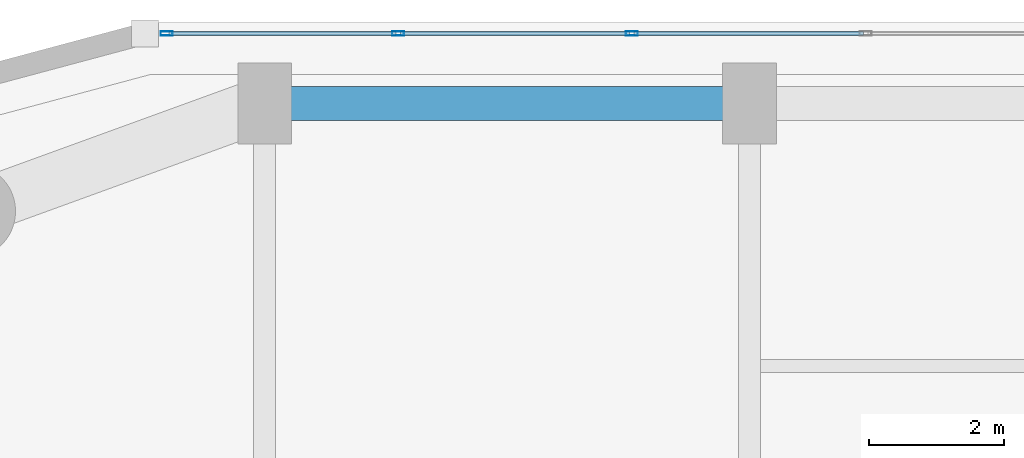
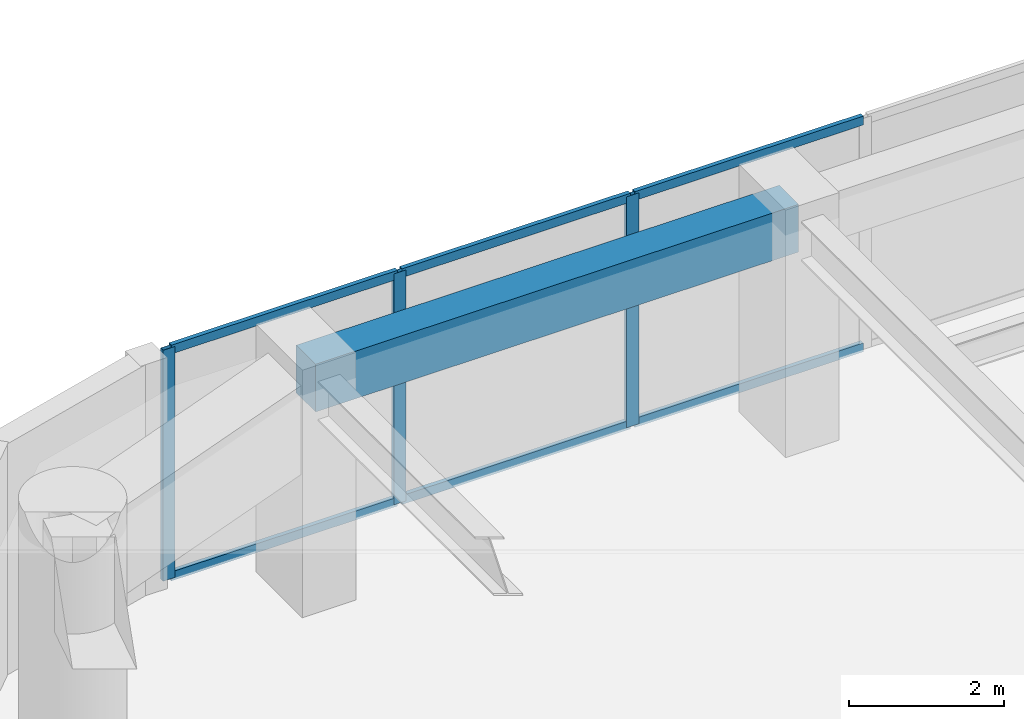
# One storey, part 13 of 24: 9 members, 1 beam, 1 element without a shape of its own.
"""IFC4 building model written with IfcOpenShell, lengths in metres."""

from ifc_helpers import new_model, si_unit, direction, frame, origin, origin_2d, place, context, subcontext, project, spatial, rectangle, hollow_rectangle, extrude, material, layer, layer_set, material_profile, profile_set, type_object, element, aggregate, save


model = new_model("IFC4")

# Units and contexts
model_context = context("Model", 3, precision=1e-05, world=origin(), true_north=direction((0.0, 1.0)))
body_context = subcontext(model_context, "Body", "Model", "MODEL_VIEW")
ifc_project = project(units=[si_unit("LENGTHUNIT", "METRE"), si_unit("AREAUNIT", "SQUARE_METRE"), si_unit("VOLUMEUNIT", "CUBIC_METRE"), si_unit("PLANEANGLEUNIT", "RADIAN"), si_unit("MASSUNIT", "GRAM", prefix="KILO")], contexts=[model_context])

# Site, building, storey
site_placement = place(None, origin())
site = spatial("IfcSite", under=ifc_project, at=site_placement, CompositionType="ELEMENT")
building_placement = place(site_placement, origin())
building = spatial("IfcBuilding", under=site, at=building_placement, Name="Kiyonajd Concourse Tower", CompositionType="ELEMENT")
storey_placement = place(building_placement, frame((0.0, 0.0, 105.300048828125)))
storey = spatial("IfcBuildingStorey", under=building, at=storey_placement, Name="L27", CompositionType="ELEMENT", Elevation=105.300048828125)

# Beam
ifc_material_1 = material(Name="Precast concrete C50/60", Category="concrete")
ifc_material_profile_1 = material_profile(ifc_material_1, rectangle(XDim=0.5, YDim=0.75, at=origin_2d()), Name="RCBM-500x750")
ifc_profile_set_1 = profile_set([ifc_material_profile_1], Name="Precast concrete C50/60")
beam_type = type_object("IfcBeamType", Name="BM-SPAN-RC", PredefinedType="SPANDREL", material=ifc_profile_set_1)
beam_placement = place(storey_placement, frame((32.39990234375, 61.199951171875, 3.264892578125), z_axis=(-1.0, 0.0, 0.0), x_axis=(0.0, -1.0, 0.0)))
element("IfcBeam", 1, at=beam_placement, inside=storey, type_object=beam_type, Name="L27 Perimeter Bundled Tube Spandrel", PredefinedType="SPANDREL", context=body_context, shape_type="SweptSolid", body=[
    extrude(rectangle(XDim=0.5, YDim=0.75, at=origin_2d()), origin(), (0.0, 0.0, 1.0), 7.199951171875),
])

# Curtain wall, members
ifc_material_2 = material(Name="Thermally Broken Anodised Aluminium", Category="aluminium")
ifc_layer = layer(ifc_material_2, 0.179931640625)
ifc_layer_set = layer_set([ifc_layer], Name="Thermally Broken Anodised Aluminium")
curtain_wall_type = type_object("IfcCurtainWallType", Name="CW-SYS-03", PredefinedType="NOTDEFINED", material=ifc_layer_set)
curtain_wall_placement = place(storey_placement, origin())
curtain_wall = element("IfcCurtainWall", 2, at=curtain_wall_placement, inside=storey, type_object=curtain_wall_type, Name="L27 Unitised Curtain Wall CW3", PredefinedType="NOTDEFINED")
ifc_material_profile_2 = material_profile(ifc_material_2, hollow_rectangle(XDim=0.06494140625, YDim=0.179931640625, WallThickness=0.00390625, at=origin_2d()), Name="MULL-65x180")
ifc_profile_set_2 = profile_set([ifc_material_profile_2], Name="Thermally Broken Anodised Aluminium")
member_type_1 = type_object("IfcMemberType", Name="MB-CW-MULL1", PredefinedType="MULLION", material=ifc_profile_set_2)
member_1_placement = place(storey_placement, frame((23.74365234375, 62.239990234375, 0.0), z_axis=(0.0, 0.0, 1.0), x_axis=(0.0, 1.0, 0.0)))
member_1 = element("IfcMember", 3, at=member_1_placement, type_object=member_type_1, Name="CW3 mullion 1", PredefinedType="MULLION", context=body_context, shape_type="SweptSolid", body=[
    extrude(hollow_rectangle(XDim=0.06494140625, YDim=0.179931640625, WallThickness=0.00390625, at=origin_2d()), origin(), (0.0, 0.0, 1.0), 3.639892578125),
])
member_2_placement = place(storey_placement, frame((27.181884765625, 62.239990234375, 0.0), z_axis=(0.0, 0.0, 1.0), x_axis=(0.0, 1.0, 0.0)))
member_2 = element("IfcMember", 4, at=member_2_placement, type_object=member_type_1, Name="CW3 mullion 2", PredefinedType="MULLION", context=body_context, shape_type="SweptSolid", body=[
    extrude(hollow_rectangle(XDim=0.06494140625, YDim=0.179931640625, WallThickness=0.00390625, at=origin_2d()), origin(), (0.0, 0.0, 1.0), 3.639892578125),
])
member_3_placement = place(storey_placement, frame((30.652587890625, 62.239990234375, 0.0), z_axis=(0.0, 0.0, 1.0), x_axis=(0.0, 1.0, 0.0)))
member_3 = element("IfcMember", 5, at=member_3_placement, type_object=member_type_1, Name="CW3 mullion 3", PredefinedType="MULLION", context=body_context, shape_type="SweptSolid", body=[
    extrude(hollow_rectangle(XDim=0.06494140625, YDim=0.179931640625, WallThickness=0.00390625, at=origin_2d()), origin(), (0.0, 0.0, 1.0), 3.639892578125),
])
ifc_material_profile_3 = material_profile(ifc_material_2, hollow_rectangle(XDim=0.06494140625, YDim=0.139892578125, WallThickness=0.00390625, at=origin_2d()), Name="TRAN-65x140")
ifc_profile_set_3 = profile_set([ifc_material_profile_3], Name="Thermally Broken Anodised Aluminium")
member_type_2 = type_object("IfcMemberType", Name="MB-CW-TRAN1", PredefinedType="USERDEFINED", material=ifc_profile_set_3)
member_4_placement = place(storey_placement, frame((23.776123046875, 62.239990234375, 0.032470703125), z_axis=(1.0, 0.0, 0.0), x_axis=(0.0, 1.0, 0.0)))
member_4 = element("IfcMember", 6, at=member_4_placement, type_object=member_type_2, Name="CW3 transom 1.1", ObjectType="TRANSOM", PredefinedType="USERDEFINED", context=body_context, shape_type="SweptSolid", body=[
    extrude(hollow_rectangle(XDim=0.06494140625, YDim=0.139892578125, WallThickness=0.00390625, at=origin_2d()), origin(), (0.0, 0.0, 1.0), 3.373291015625),
])
member_5_placement = place(storey_placement, frame((23.776123046875, 62.239990234375, 3.607421875), z_axis=(1.0, 0.0, 0.0), x_axis=(0.0, 1.0, 0.0)))
member_5 = element("IfcMember", 7, at=member_5_placement, type_object=member_type_2, Name="CW3 transom 1.2", ObjectType="TRANSOM", PredefinedType="USERDEFINED", context=body_context, shape_type="SweptSolid", body=[
    extrude(hollow_rectangle(XDim=0.06494140625, YDim=0.139892578125, WallThickness=0.00390625, at=origin_2d()), origin(), (0.0, 0.0, 1.0), 3.373291015625),
])
member_6_placement = place(storey_placement, frame((27.21435546875, 62.239990234375, 0.032470703125), z_axis=(1.0, 0.0, 0.0), x_axis=(0.0, 1.0, 0.0)))
member_6 = element("IfcMember", 8, at=member_6_placement, type_object=member_type_2, Name="CW3 transom 2.1", ObjectType="TRANSOM", PredefinedType="USERDEFINED", context=body_context, shape_type="SweptSolid", body=[
    extrude(hollow_rectangle(XDim=0.06494140625, YDim=0.139892578125, WallThickness=0.00390625, at=origin_2d()), origin(), (0.0, 0.0, 1.0), 3.40576171875),
])
member_7_placement = place(storey_placement, frame((27.21435546875, 62.239990234375, 3.607421875), z_axis=(1.0, 0.0, 0.0), x_axis=(0.0, 1.0, 0.0)))
member_7 = element("IfcMember", 9, at=member_7_placement, type_object=member_type_2, Name="CW3 transom 2.2", ObjectType="TRANSOM", PredefinedType="USERDEFINED", context=body_context, shape_type="SweptSolid", body=[
    extrude(hollow_rectangle(XDim=0.06494140625, YDim=0.139892578125, WallThickness=0.00390625, at=origin_2d()), origin(), (0.0, 0.0, 1.0), 3.40576171875),
])
member_8_placement = place(storey_placement, frame((30.68505859375, 62.239990234375, 0.032470703125), z_axis=(1.0, 0.0, 0.0), x_axis=(0.0, 1.0, 0.0)))
member_8 = element("IfcMember", 10, at=member_8_placement, type_object=member_type_2, Name="CW3 transom 3.1", ObjectType="TRANSOM", PredefinedType="USERDEFINED", context=body_context, shape_type="SweptSolid", body=[
    extrude(hollow_rectangle(XDim=0.06494140625, YDim=0.139892578125, WallThickness=0.00390625, at=origin_2d()), origin(), (0.0, 0.0, 1.0), 3.40576171875),
])
member_9_placement = place(storey_placement, frame((30.68505859375, 62.239990234375, 3.607421875), z_axis=(1.0, 0.0, 0.0), x_axis=(0.0, 1.0, 0.0)))
member_9 = element("IfcMember", 11, at=member_9_placement, type_object=member_type_2, Name="CW3 transom 3.2", ObjectType="TRANSOM", PredefinedType="USERDEFINED", context=body_context, shape_type="SweptSolid", body=[
    extrude(hollow_rectangle(XDim=0.06494140625, YDim=0.139892578125, WallThickness=0.00390625, at=origin_2d()), origin(), (0.0, 0.0, 1.0), 3.40576171875),
])
aggregate(curtain_wall, [member_1, member_2, member_3, member_4, member_5, member_6, member_7, member_8, member_9])

save(model, "model.ifc")
